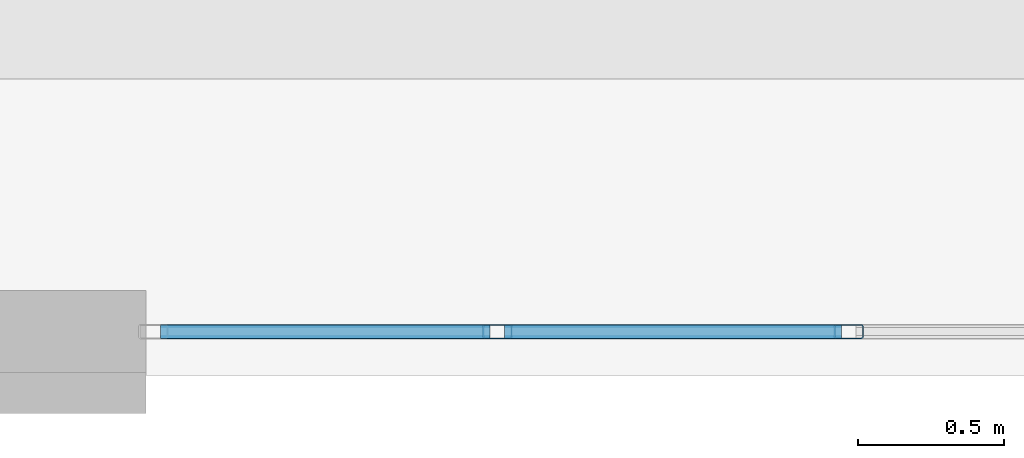
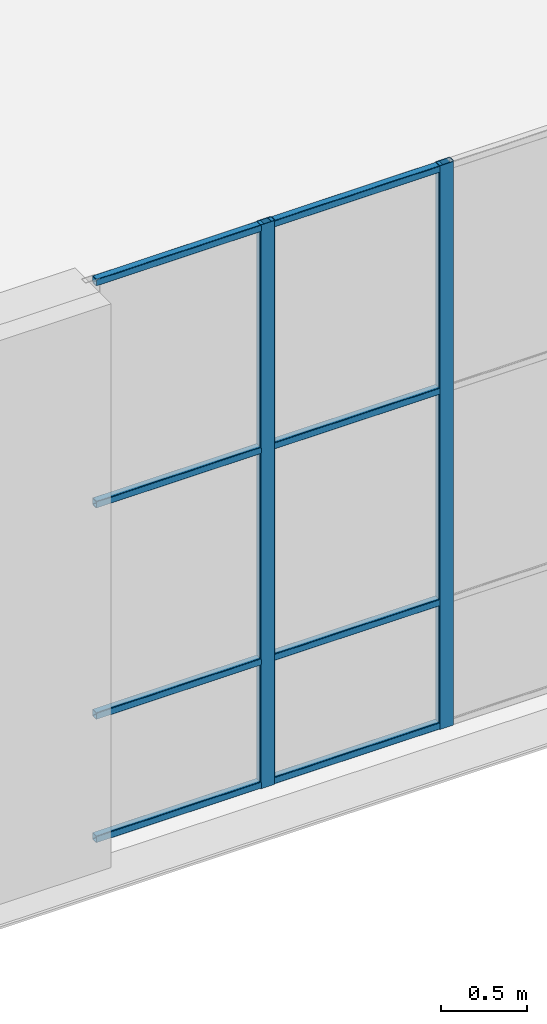
# One storey, part 10 of 72: 10 members, 1 element without a shape of its own.
"""IFC4 building model written with IfcOpenShell, lengths in metres."""

from ifc_helpers import new_model, si_unit, direction, frame, origin, origin_2d, place, context, subcontext, project, spatial, hollow_rectangle, extrude, material, layer, layer_set, material_profile, profile_set, type_object, element, aggregate, save


model = new_model("IFC4")

# Units and contexts
model_context = context("Model", 3, precision=1e-05, world=origin(), true_north=direction((0.0, 1.0)))
body_context = subcontext(model_context, "Body", "Model", "MODEL_VIEW")
ifc_project = project(units=[si_unit("LENGTHUNIT", "METRE"), si_unit("AREAUNIT", "SQUARE_METRE"), si_unit("VOLUMEUNIT", "CUBIC_METRE"), si_unit("PLANEANGLEUNIT", "RADIAN"), si_unit("MASSUNIT", "GRAM", prefix="KILO")], contexts=[model_context])

# Site, building, storey
site_placement = place(None, origin())
site = spatial("IfcSite", under=ifc_project, at=site_placement, CompositionType="ELEMENT")
building_placement = place(site_placement, origin())
building = spatial("IfcBuilding", under=site, at=building_placement, Name="Tuart Plaza Theatre", CompositionType="ELEMENT")
storey_placement = place(building_placement, frame((0.0, 0.0, 13.5)))
storey = spatial("IfcBuildingStorey", under=building, at=storey_placement, Name="L03", CompositionType="ELEMENT", Elevation=13.5)

# Curtain wall, members
ifc_material_1 = material(Name="Aluminium and glass", Category="aluminium")
ifc_layer = layer(ifc_material_1, 0.10009765625)
ifc_layer_set = layer_set([ifc_layer], Name="CURTAIN WALL 1200 module")
curtain_wall_type = type_object("IfcCurtainWallType", Name="CURTAIN WALL 1200 module", PredefinedType="NOTDEFINED", material=ifc_layer_set)
curtain_wall_placement = place(storey_placement, origin())
curtain_wall = element("IfcCurtainWall", 1, at=curtain_wall_placement, inside=storey, type_object=curtain_wall_type, Name="CW46", PredefinedType="NOTDEFINED")
ifc_material_2 = material(Name="Aluminium 6063-T5", Category="aluminium")
ifc_material_profile_1 = material_profile(ifc_material_2, hollow_rectangle(XDim=0.050048828125, YDim=0.10009765625, WallThickness=0.00390625, InnerFilletRadius=0.00390625, OuterFilletRadius=0.008056640625, at=origin_2d()), Name="RHS 100x50x4")
ifc_profile_set_1 = profile_set([ifc_material_profile_1], Name="Aluminium 6063-T5")
member_type_1 = type_object("IfcMemberType", Name="MULLION RHS 100x50x4", PredefinedType="MULLION", material=ifc_profile_set_1)
member_1_placement = place(storey_placement, frame((95.39990234375, 31.0, 0.0), z_axis=(0.0, 0.0, 1.0), x_axis=(0.0, 1.0, 0.0)))
member_1 = element("IfcMember", 2, at=member_1_placement, type_object=member_type_1, Name="CW46 mullion 2", PredefinedType="MULLION", context=body_context, shape_type="SweptSolid", body=[
    extrude(hollow_rectangle(XDim=0.050048828125, YDim=0.10009765625, WallThickness=0.00390625, InnerFilletRadius=0.00390625, OuterFilletRadius=0.008056640625, at=origin_2d()), origin(), (0.0, 0.0, 1.0), 4.0),
])
member_2_placement = place(storey_placement, frame((96.60009765625, 31.0, 0.0), z_axis=(0.0, 0.0, 1.0), x_axis=(0.0, 1.0, 0.0)))
member_2 = element("IfcMember", 3, at=member_2_placement, type_object=member_type_1, Name="CW46 mullion 3", PredefinedType="MULLION", context=body_context, shape_type="SweptSolid", body=[
    extrude(hollow_rectangle(XDim=0.050048828125, YDim=0.10009765625, WallThickness=0.00390625, InnerFilletRadius=0.00390625, OuterFilletRadius=0.008056640625, at=origin_2d()), origin(), (0.0, 0.0, 1.0), 4.0),
])
ifc_material_3 = material(Name="Aluminium 6063-T5", Category="aluminium")
ifc_material_profile_2 = material_profile(ifc_material_3, hollow_rectangle(XDim=0.050048828125, YDim=0.050048828125, WallThickness=0.00390625, InnerFilletRadius=0.00390625, OuterFilletRadius=0.008056640625, at=origin_2d()), Name="RHS 50x50x4")
ifc_profile_set_2 = profile_set([ifc_material_profile_2], Name="Aluminium 6063-T5")
member_type_2 = type_object("IfcMemberType", Name="TRANSOM RHS 50x50x4", PredefinedType="USERDEFINED", material=ifc_profile_set_2)
member_3_placement = place(storey_placement, frame((94.25, 31.0, 0.02490234375), z_axis=(1.0, 0.0, 0.0), x_axis=(0.0, 1.0, 0.0)))
member_3 = element("IfcMember", 4, at=member_3_placement, type_object=member_type_2, Name="CW46 transom 1.1", ObjectType="TRANSOM", PredefinedType="USERDEFINED", context=body_context, shape_type="SweptSolid", body=[
    extrude(hollow_rectangle(XDim=0.050048828125, YDim=0.050048828125, WallThickness=0.00390625, InnerFilletRadius=0.00390625, OuterFilletRadius=0.008056640625, at=origin_2d()), origin(), (0.0, 0.0, 1.0), 1.125),
])
member_4_placement = place(storey_placement, frame((94.25, 31.0, 0.89990234375), z_axis=(1.0, 0.0, 0.0), x_axis=(0.0, 1.0, 0.0)))
member_4 = element("IfcMember", 5, at=member_4_placement, type_object=member_type_2, Name="CW46 transom 1.2", ObjectType="TRANSOM", PredefinedType="USERDEFINED", context=body_context, shape_type="SweptSolid", body=[
    extrude(hollow_rectangle(XDim=0.050048828125, YDim=0.050048828125, WallThickness=0.00390625, InnerFilletRadius=0.00390625, OuterFilletRadius=0.008056640625, at=origin_2d()), origin(), (0.0, 0.0, 1.0), 1.125),
])
member_5_placement = place(storey_placement, frame((94.25, 31.0, 2.39990234375), z_axis=(1.0, 0.0, 0.0), x_axis=(0.0, 1.0, 0.0)))
member_5 = element("IfcMember", 6, at=member_5_placement, type_object=member_type_2, Name="CW46 transom 1.3", ObjectType="TRANSOM", PredefinedType="USERDEFINED", context=body_context, shape_type="SweptSolid", body=[
    extrude(hollow_rectangle(XDim=0.050048828125, YDim=0.050048828125, WallThickness=0.00390625, InnerFilletRadius=0.00390625, OuterFilletRadius=0.008056640625, at=origin_2d()), origin(), (0.0, 0.0, 1.0), 1.125),
])
member_6_placement = place(storey_placement, frame((94.25, 31.0, 3.97509765625), z_axis=(1.0, 0.0, 0.0), x_axis=(0.0, 1.0, 0.0)))
member_6 = element("IfcMember", 7, at=member_6_placement, type_object=member_type_2, Name="CW46 transom 1.4", ObjectType="TRANSOM", PredefinedType="USERDEFINED", context=body_context, shape_type="SweptSolid", body=[
    extrude(hollow_rectangle(XDim=0.050048828125, YDim=0.050048828125, WallThickness=0.00390625, InnerFilletRadius=0.00390625, OuterFilletRadius=0.008056640625, at=origin_2d()), origin(), (0.0, 0.0, 1.0), 1.125),
])
member_7_placement = place(storey_placement, frame((95.425048828125, 31.0, 0.02490234375), z_axis=(1.0, 0.0, 0.0), x_axis=(0.0, 1.0, 0.0)))
member_7 = element("IfcMember", 8, at=member_7_placement, type_object=member_type_2, Name="CW46 transom 2.1", ObjectType="TRANSOM", PredefinedType="USERDEFINED", context=body_context, shape_type="SweptSolid", body=[
    extrude(hollow_rectangle(XDim=0.050048828125, YDim=0.050048828125, WallThickness=0.00390625, InnerFilletRadius=0.00390625, OuterFilletRadius=0.008056640625, at=origin_2d()), origin(), (0.0, 0.0, 1.0), 1.14990234375),
])
member_8_placement = place(storey_placement, frame((95.425048828125, 31.0, 0.89990234375), z_axis=(1.0, 0.0, 0.0), x_axis=(0.0, 1.0, 0.0)))
member_8 = element("IfcMember", 9, at=member_8_placement, type_object=member_type_2, Name="CW46 transom 2.2", ObjectType="TRANSOM", PredefinedType="USERDEFINED", context=body_context, shape_type="SweptSolid", body=[
    extrude(hollow_rectangle(XDim=0.050048828125, YDim=0.050048828125, WallThickness=0.00390625, InnerFilletRadius=0.00390625, OuterFilletRadius=0.008056640625, at=origin_2d()), origin(), (0.0, 0.0, 1.0), 1.14990234375),
])
member_9_placement = place(storey_placement, frame((95.425048828125, 31.0, 2.39990234375), z_axis=(1.0, 0.0, 0.0), x_axis=(0.0, 1.0, 0.0)))
member_9 = element("IfcMember", 10, at=member_9_placement, type_object=member_type_2, Name="CW46 transom 2.3", ObjectType="TRANSOM", PredefinedType="USERDEFINED", context=body_context, shape_type="SweptSolid", body=[
    extrude(hollow_rectangle(XDim=0.050048828125, YDim=0.050048828125, WallThickness=0.00390625, InnerFilletRadius=0.00390625, OuterFilletRadius=0.008056640625, at=origin_2d()), origin(), (0.0, 0.0, 1.0), 1.14990234375),
])
member_10_placement = place(storey_placement, frame((95.425048828125, 31.0, 3.97509765625), z_axis=(1.0, 0.0, 0.0), x_axis=(0.0, 1.0, 0.0)))
member_10 = element("IfcMember", 11, at=member_10_placement, type_object=member_type_2, Name="CW46 transom 2.4", ObjectType="TRANSOM", PredefinedType="USERDEFINED", context=body_context, shape_type="SweptSolid", body=[
    extrude(hollow_rectangle(XDim=0.050048828125, YDim=0.050048828125, WallThickness=0.00390625, InnerFilletRadius=0.00390625, OuterFilletRadius=0.008056640625, at=origin_2d()), origin(), (0.0, 0.0, 1.0), 1.14990234375),
])
aggregate(curtain_wall, [member_1, member_2, member_3, member_4, member_5, member_6, member_7, member_8, member_9, member_10])

save(model, "model.ifc")
